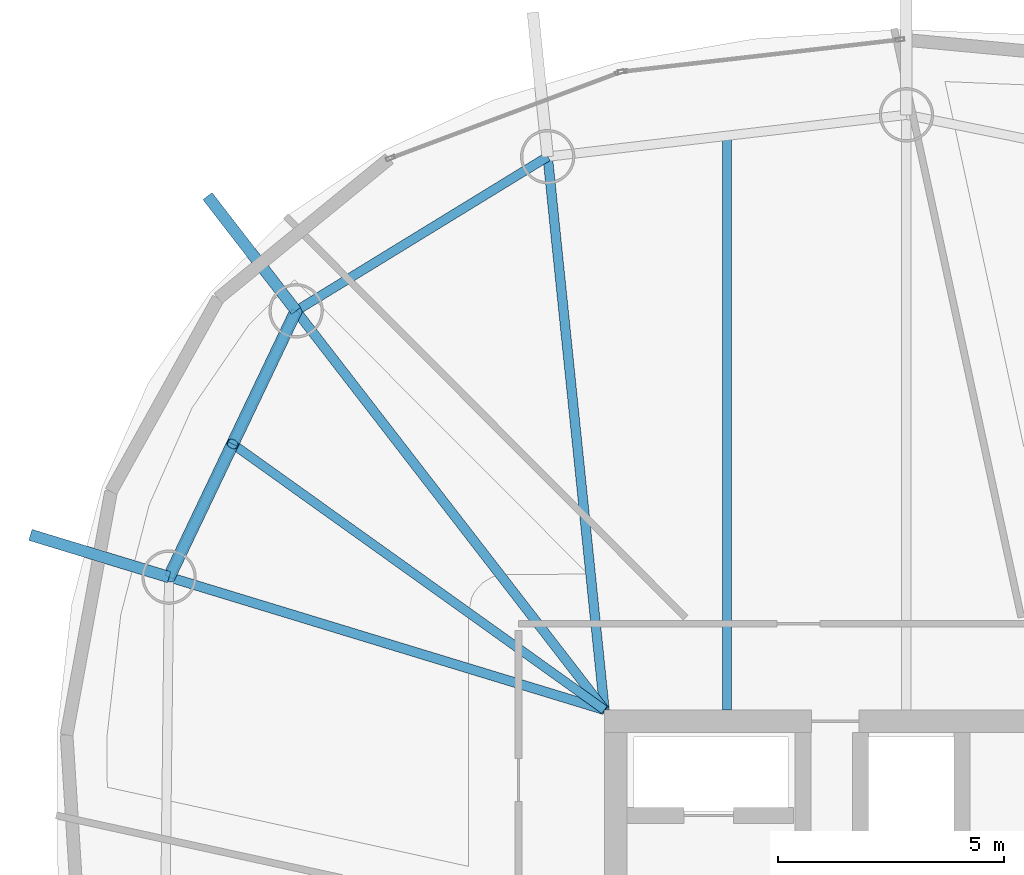
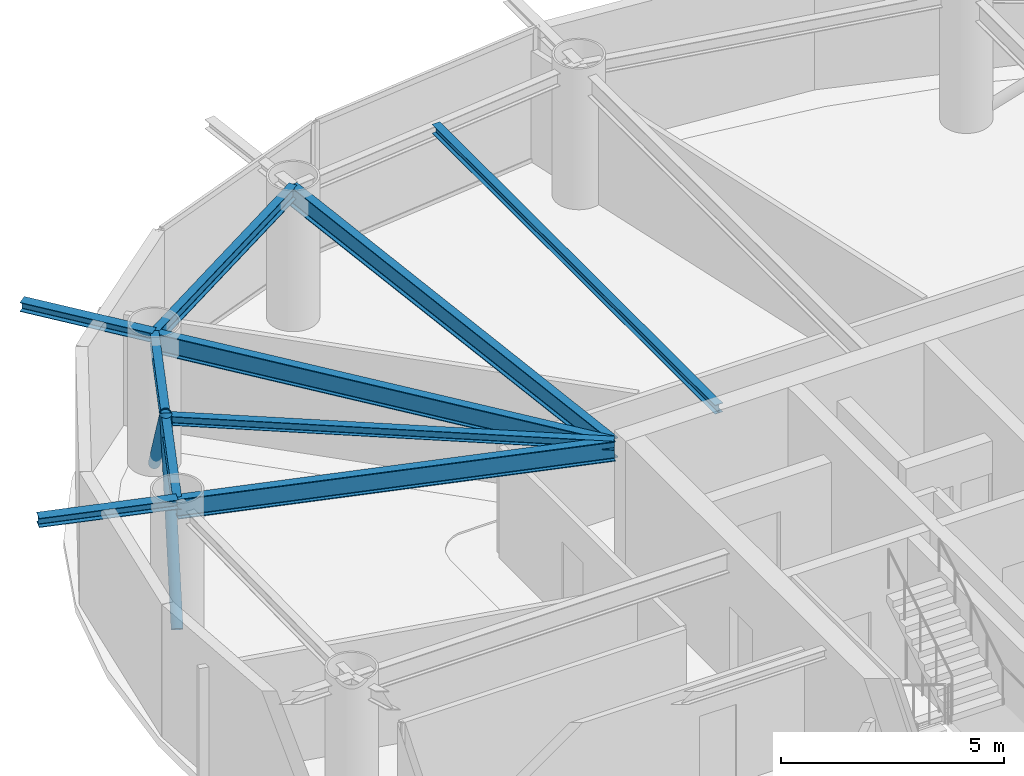
# One storey, part 10 of 22: 9 beams, 2 members.
"""IFC4 building model written with IfcOpenShell, lengths in metres."""

from ifc_helpers import new_model, si_unit, direction, frame, origin, origin_2d, place, context, subcontext, project, spatial, hollow_circle, i_section, extrude, material, material_profile, profile_set, type_object, element, save


model = new_model("IFC4")

# Units and contexts
model_context = context("Model", 3, precision=1e-05, world=origin(), true_north=direction((0.0, 1.0)))
body_context = subcontext(model_context, "Body", "Model", "MODEL_VIEW")
ifc_project = project(units=[si_unit("LENGTHUNIT", "METRE"), si_unit("AREAUNIT", "SQUARE_METRE"), si_unit("VOLUMEUNIT", "CUBIC_METRE"), si_unit("PLANEANGLEUNIT", "RADIAN"), si_unit("MASSUNIT", "GRAM", prefix="KILO")], contexts=[model_context])

# Site, building, storey
site_placement = place(None, origin())
site = spatial("IfcSite", under=ifc_project, at=site_placement, CompositionType="ELEMENT")
building_placement = place(site_placement, origin())
building = spatial("IfcBuilding", under=site, at=building_placement, Name="Bramvorn Convention Spire", CompositionType="ELEMENT")
storey_placement = place(building_placement, frame((0.0, 0.0, 190.449951171875)))
storey = spatial("IfcBuildingStorey", under=building, at=storey_placement, Name="L48", CompositionType="ELEMENT", Elevation=190.449951171875)

# Beams
ifc_material = material(Name="Steel CSA G40.21 Grade 350 (350W)", Category="steel")
ifc_material_profile_1 = material_profile(ifc_material, i_section(OverallWidth=0.201904296875, OverallDepth=0.2470703125, WebThickness=0.00732421875, FlangeThickness=0.010986328125, FilletRadius=0.011962890625, at=origin_2d()))
ifc_profile_set_1 = profile_set([ifc_material_profile_1], Name="Steel CSA G40.21 Grade 350 (350W) - W250X49")
beam_type_1 = type_object("IfcBeamType", Name="BM-W250X49", PredefinedType="JOIST", material=ifc_profile_set_1)
beam_1_placement = place(storey_placement, frame((29.455810546875, 33.449951171875, 3.49658203125), z_axis=(0.0, 1.0, 0.0), x_axis=(-1.0, 0.0, 0.0)))
element("IfcBeam", 1, at=beam_1_placement, inside=storey, type_object=beam_type_1, Name="L48 composite floor joist 07", PredefinedType="JOIST", context=body_context, shape_type="SweptSolid", body=[
    extrude(i_section(OverallWidth=0.201904296875, OverallDepth=0.2470703125, WebThickness=0.00732421875, FlangeThickness=0.010986328125, FilletRadius=0.011962890625, at=origin_2d()), origin(), (0.0, 0.0, 1.0), 12.676025390625),
])
beam_2_placement = place(storey_placement, frame((26.75, 33.449951171875, 3.49658203125), z_axis=(-0.813471895271, 0.581604225916, 0.0), x_axis=(-0.581604225916, -0.813471895271, 0.0)))
element("IfcBeam", 2, at=beam_2_placement, inside=storey, type_object=beam_type_1, Name="L48 composite floor joist 09", PredefinedType="JOIST", context=body_context, shape_type="SweptSolid", body=[
    extrude(i_section(OverallWidth=0.201904296875, OverallDepth=0.2470703125, WebThickness=0.00732421875, FlangeThickness=0.010986328125, FilletRadius=0.011962890625, at=origin_2d()), origin(), (0.0, 0.0, 1.0), 10.093505859375),
])
ifc_material_profile_2 = material_profile(ifc_material, i_section(OverallWidth=0.25390625, OverallDepth=0.2529296875, WebThickness=0.008544921875, FlangeThickness=0.01416015625, FilletRadius=0.011962890625, at=origin_2d()))
ifc_profile_set_2 = profile_set([ifc_material_profile_2], Name="Steel CSA G40.21 Grade 350 (350W) - W250X73")
beam_type_2 = type_object("IfcBeamType", Name="BM-W250X73", PredefinedType="BEAM", material=ifc_profile_set_2)
beam_3_placement = place(storey_placement, frame((19.941650390625, 42.260009765625, 3.49365234375), z_axis=(-0.611497441422, 0.791246408607, 0.0), x_axis=(-0.791246408607, -0.611497441422, 0.0)))
element("IfcBeam", 3, at=beam_3_placement, inside=storey, type_object=beam_type_2, Name="L48 slab-edge cantilever tip beam MC09", PredefinedType="BEAM", context=body_context, shape_type="SweptSolid", body=[
    extrude(i_section(OverallWidth=0.25390625, OverallDepth=0.2529296875, WebThickness=0.008544921875, FlangeThickness=0.01416015625, FilletRadius=0.011962890625, at=origin_2d()), origin(), (0.0, 0.0, 1.0), 3.199951171875),
])
beam_4_placement = place(storey_placement, frame((17.136962890625, 36.380615234375, 3.49365234375), z_axis=(-0.956544433432, 0.291586602694, 0.0), x_axis=(-0.291586602694, -0.956544433432, 0.0)))
element("IfcBeam", 4, at=beam_4_placement, inside=storey, type_object=beam_type_2, Name="L48 slab-edge cantilever tip beam MC10", PredefinedType="BEAM", context=body_context, shape_type="SweptSolid", body=[
    extrude(i_section(OverallWidth=0.25390625, OverallDepth=0.2529296875, WebThickness=0.008544921875, FlangeThickness=0.01416015625, FilletRadius=0.011962890625, at=origin_2d()), origin(), (0.0, 0.0, 1.0), 3.2001953125),
])
ifc_material_profile_3 = material_profile(ifc_material, i_section(OverallWidth=0.205078125, OverallDepth=0.35400390625, WebThickness=0.009521484375, FlangeThickness=0.016845703125, FilletRadius=0.014892578125, at=origin_2d()))
ifc_profile_set_3 = profile_set([ifc_material_profile_3], Name="Steel CSA G40.21 Grade 350 (350W) - W360X79")
beam_type_3 = type_object("IfcBeamType", Name="BM-W360X79", PredefinedType="JOIST", material=ifc_profile_set_3)
beam_5_placement = place(storey_placement, frame((25.49560546875, 45.663818359375, 3.443115234375), z_axis=(-0.852616873135, -0.522536570629, 0.0), x_axis=(0.522536570629, -0.852616873135, 0.0)))
element("IfcBeam", 5, at=beam_5_placement, inside=storey, type_object=beam_type_3, Name="L48 mega-column ring beam 08", PredefinedType="JOIST", context=body_context, shape_type="SweptSolid", body=[
    extrude(i_section(OverallWidth=0.205078125, OverallDepth=0.35400390625, WebThickness=0.009521484375, FlangeThickness=0.016845703125, FilletRadius=0.014892578125, at=origin_2d()), origin(), (0.0, 0.0, 1.0), 6.513916015625),
])
beam_6_placement = place(storey_placement, frame((19.941650390625, 42.260009765625, 3.443115234375), z_axis=(-0.430556138422, -0.902563799223, 0.0), x_axis=(0.902563799223, -0.430556138422, 0.0)))
element("IfcBeam", 6, at=beam_6_placement, inside=storey, type_object=beam_type_3, Name="L48 mega-column ring beam 09", PredefinedType="JOIST", context=body_context, shape_type="SweptSolid", body=[
    extrude(i_section(OverallWidth=0.205078125, OverallDepth=0.35400390625, WebThickness=0.009521484375, FlangeThickness=0.016845703125, FilletRadius=0.014892578125, at=origin_2d()), origin(), (0.0, 0.0, 1.0), 6.51416015625),
])
ifc_material_profile_4 = material_profile(ifc_material, i_section(OverallWidth=0.2119140625, OverallDepth=0.5439453125, WebThickness=0.01318359375, FlangeThickness=0.021240234375, FilletRadius=0.01904296875, at=origin_2d()))
ifc_profile_set_4 = profile_set([ifc_material_profile_4], Name="Steel CSA G40.21 Grade 350 (350W) - W530X123")
beam_type_4 = type_object("IfcBeamType", Name="BM-W530X123", PredefinedType="BEAM", material=ifc_profile_set_4)
beam_7_placement = place(storey_placement, frame((26.75, 33.449951171875, 3.34814453125), z_axis=(-0.10216509146, 0.994767457292, 0.0), x_axis=(-0.994767457292, -0.10216509146, 0.0)))
element("IfcBeam", 7, at=beam_7_placement, inside=storey, type_object=beam_type_4, Name="L48 radial floor girder MC08", PredefinedType="BEAM", context=body_context, shape_type="SweptSolid", body=[
    extrude(i_section(OverallWidth=0.2119140625, OverallDepth=0.5439453125, WebThickness=0.01318359375, FlangeThickness=0.021240234375, FilletRadius=0.01904296875, at=origin_2d()), origin(), (0.0, 0.0, 1.0), 12.278076171875),
])
beam_8_placement = place(storey_placement, frame((26.75, 33.449951171875, 3.34814453125), z_axis=(-0.611479951477, 0.791259925019, 0.0), x_axis=(-0.791259925019, -0.611479951477, 0.0)))
element("IfcBeam", 8, at=beam_8_placement, inside=storey, type_object=beam_type_4, Name="L48 radial floor girder MC09", PredefinedType="BEAM", context=body_context, shape_type="SweptSolid", body=[
    extrude(i_section(OverallWidth=0.2119140625, OverallDepth=0.5439453125, WebThickness=0.01318359375, FlangeThickness=0.021240234375, FilletRadius=0.01904296875, at=origin_2d()), origin(), (0.0, 0.0, 1.0), 11.13427734375),
])
beam_9_placement = place(storey_placement, frame((26.75, 33.449951171875, 3.34814453125), z_axis=(-0.95653637984, 0.291613021044, 0.0), x_axis=(-0.291613021044, -0.95653637984, 0.0)))
element("IfcBeam", 9, at=beam_9_placement, inside=storey, type_object=beam_type_4, Name="L48 radial floor girder MC10", PredefinedType="BEAM", context=body_context, shape_type="SweptSolid", body=[
    extrude(i_section(OverallWidth=0.2119140625, OverallDepth=0.5439453125, WebThickness=0.01318359375, FlangeThickness=0.021240234375, FilletRadius=0.01904296875, at=origin_2d()), origin(), (0.0, 0.0, 1.0), 10.0498046875),
])

# Members
ifc_material_profile_5 = material_profile(ifc_material, hollow_circle(Radius=0.136474609375, WallThickness=0.0126953125, at=origin_2d()))
ifc_profile_set_5 = profile_set([ifc_material_profile_5], Name="Steel CSA G40.21 Grade 350 (350W) - CHS273X13")
member_type = type_object("IfcMemberType", Name="MBR-CHS273X13", PredefinedType="BRACE", material=ifc_profile_set_5)
for number, where, z_axis, x_axis, name in (
    (10, (19.941650390625, 42.260009765625, 0.0), (-0.287975409459, -0.603675470978, 0.743401701159), (0.902563799223, -0.430556138422, 0.0), "L48 perimeter Gothic lancet brace 9A"),
    (11, (17.136962890625, 36.380615234375, 0.0), (0.287975409459, 0.603675470978, 0.743401701159), (-0.902563799223, 0.430556138422, 0.0), "L48 perimeter Gothic lancet brace 9B"),
):
    element("IfcMember", number, at=place(storey_placement, frame(where, z_axis=z_axis, x_axis=x_axis)), inside=storey, type_object=member_type, Name=name, PredefinedType="BRACE", context=body_context, shape_type="SweptSolid", body=[
        extrude(hollow_circle(Radius=0.136474609375, WallThickness=0.0126953125, at=origin_2d()), origin(), (0.0, 0.0, 1.0), 4.86962890625),
    ])

save(model, "model.ifc")
